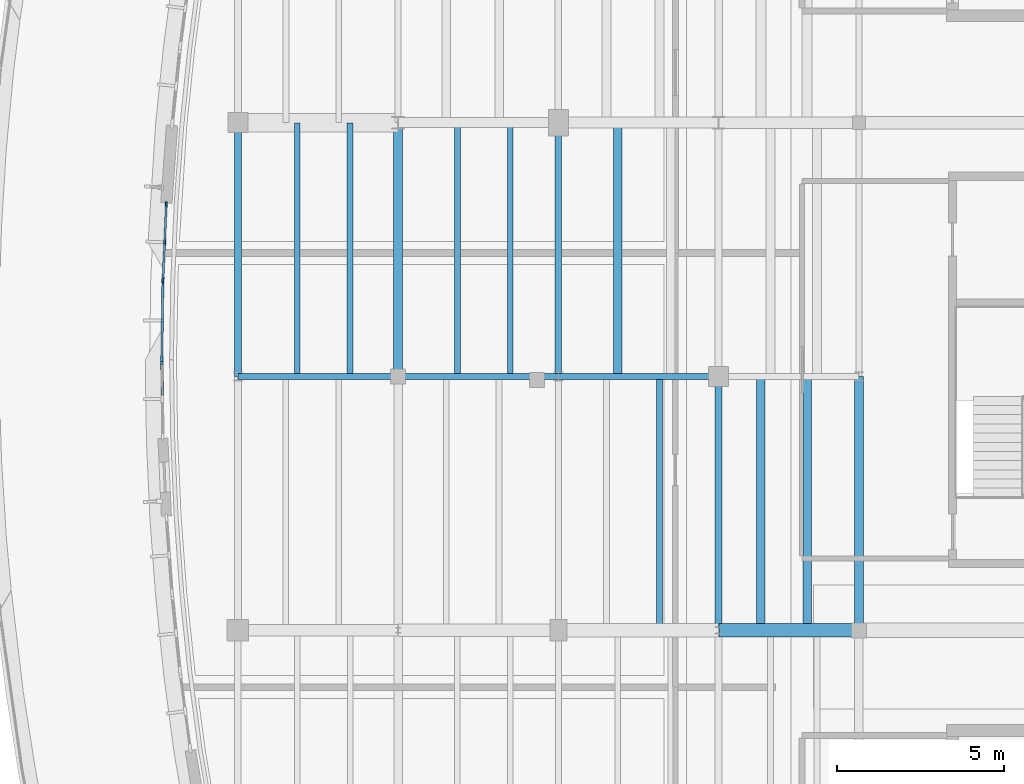
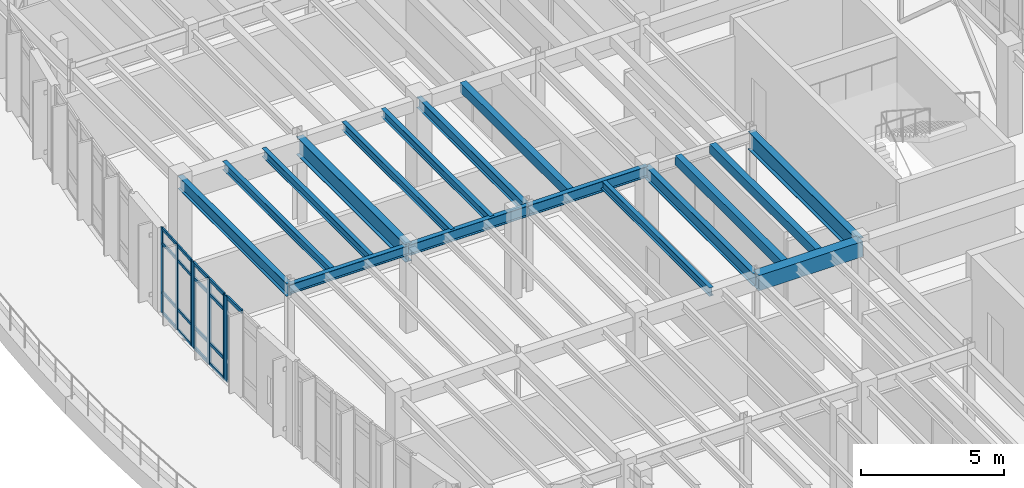
# One storey, part 44 of 105: 24 members, 17 beams, 3 elements without a shape of their own.
"""IFC4 building model written with IfcOpenShell, lengths in metres."""

import ifcopenshell
import ifcopenshell.guid

model = None  # the IFC model being written
_history = None  # IfcOwnerHistory: only IFC2X3 demands one
_inside = {}  # id of a spatial element -> (the spatial element, [elements in it])
_under = {}  # id of a project, library or spatial element -> (it, [spatial elements below it])
_declared = {}  # id of a project -> (the project, [libraries it declares])
_typed = {}  # id of a type object -> (the type object, [elements of that type])
_made_of = {}  # id of a material, layer set ... -> (it, [elements and type objects made of it])


def new_model(schema):
    """Start an empty IFC model of exactly this schema.

    Asked for "IFC4X3", IfcOpenShell would pick the latest addendum, in which some entities
    have other attributes; the version numbers below select the first issue.
    IFC2X3 requires an IfcOwnerHistory on every rooted entity: one is made here for all.
    """
    global model, _history
    if schema == "IFC4X3":
        model = ifcopenshell.file(schema_version=(4, 3, 0, 0))
    else:
        model = ifcopenshell.file(schema=schema)
    _inside.clear()
    _under.clear()
    _declared.clear()
    _typed.clear()
    _made_of.clear()
    _history = None
    if model.schema == "IFC2X3":
        org = make("IfcOrganization", Name="unknown")
        user = make(
            "IfcPersonAndOrganization",
            ThePerson=make("IfcPerson", FamilyName="unknown"),
            TheOrganization=org,
        )
        app = make(
            "IfcApplication",
            ApplicationDeveloper=org,
            Version="unknown",
            ApplicationFullName="unknown",
            ApplicationIdentifier="unknown",
        )
        _history = make(
            "IfcOwnerHistory",
            OwningUser=user,
            OwningApplication=app,
            ChangeAction="ADDED",
            CreationDate=0,
        )
    return model


def make(cls, **values):
    """One entity of the class cls with the attributes given. An attribute that is None is left unset."""
    return model.create_entity(
        cls, **{name: value for name, value in values.items() if value is not None}
    )


def rooted(cls, **values):
    """An entity with a GlobalId (a new one), such as an element, a storey or a relation."""
    return make(cls, GlobalId=ifcopenshell.guid.new(), OwnerHistory=_history, **values)


def si_unit(unit_type, name, prefix=None):
    """IfcSIUnit, for example si_unit("LENGTHUNIT", "METRE", prefix="MILLI")."""
    return make("IfcSIUnit", UnitType=unit_type, Prefix=prefix, Name=name)


def assignment(units):
    """IfcUnitAssignment: the units of a project."""
    return None if units is None else make("IfcUnitAssignment", Units=units)


def point(xyz):
    """IfcCartesianPoint."""
    return None if xyz is None else make("IfcCartesianPoint", Coordinates=xyz)


def direction(xyz):
    """IfcDirection."""
    return None if xyz is None else make("IfcDirection", DirectionRatios=xyz)


def frame(location, z_axis=None, x_axis=None):
    """IfcAxis2Placement3D, a coordinate frame: its origin and axes. An axis left out is left unset."""
    return make(
        "IfcAxis2Placement3D",
        Location=point(location),
        Axis=direction(z_axis),
        RefDirection=direction(x_axis),
    )


def frame_2d(location, x_axis=None):
    """IfcAxis2Placement2D, a coordinate frame in the plane: its origin and x axis."""
    return make(
        "IfcAxis2Placement2D", Location=point(location), RefDirection=direction(x_axis)
    )


def origin():
    """The frame at (0, 0, 0) with its axes left unset."""
    return frame((0.0, 0.0, 0.0))


def origin_2d():
    """The frame at (0, 0) in the plane with its x axis left unset."""
    return frame_2d((0.0, 0.0))


def place(relative_to, where):
    """IfcLocalPlacement: puts the frame where relative to a parent placement (None: the world)."""
    return make(
        "IfcLocalPlacement", PlacementRelTo=relative_to, RelativePlacement=where
    )


def context(
    kind, dimensions, precision=None, world=None, true_north=None, identifier=None
):
    """IfcGeometricRepresentationContext, for example the 3D "Model" context."""
    return make(
        "IfcGeometricRepresentationContext",
        ContextIdentifier=identifier,
        ContextType=kind,
        CoordinateSpaceDimension=dimensions,
        Precision=precision,
        WorldCoordinateSystem=world,
        TrueNorth=true_north,
    )


def subcontext(parent, identifier, kind, view, scale=None):
    """IfcGeometricRepresentationSubContext, for example "Body" below "Model"."""
    return make(
        "IfcGeometricRepresentationSubContext",
        ContextIdentifier=identifier,
        ContextType=kind,
        ParentContext=parent,
        TargetScale=scale,
        TargetView=view,
    )


def project(units=None, contexts=None):
    """IfcProject with its units and contexts."""
    return rooted(
        "IfcProject",
        Name="project",
        RepresentationContexts=contexts,
        UnitsInContext=assignment(units),
    )


def spatial(cls, under=None, at=None, **own):
    """A site, building, storey or space (cls), placed at a placement, below another one or the project."""
    s = rooted(cls, ObjectPlacement=at, **own)
    if under is not None:
        _under.setdefault(under.id(), (under, []))[1].append(s)
    return s


def profile(cls, at=None, kind="AREA", **sizes):
    """A parametric profile (cls). Its sizes go by their IFC names, for example OverallWidth=200.0."""
    return make(cls, ProfileType=kind, Position=at, **sizes)


def rectangle(**sizes):
    """IfcRectangleProfileDef."""
    return profile("IfcRectangleProfileDef", **sizes)


def i_section(**sizes):
    """IfcIShapeProfileDef."""
    return profile("IfcIShapeProfileDef", **sizes)


def extrude(swept, where, along, depth):
    """IfcExtrudedAreaSolid: the profile swept, set in the frame where, extruded along a direction by depth."""
    return make(
        "IfcExtrudedAreaSolid",
        SweptArea=swept,
        Position=where,
        ExtrudedDirection=direction(along),
        Depth=depth,
    )


def shape(context_of_items, identifier, shape_type, items):
    """IfcShapeRepresentation: the items that make up one representation, for example the "Body"."""
    return make(
        "IfcShapeRepresentation",
        ContextOfItems=context_of_items,
        RepresentationIdentifier=identifier,
        RepresentationType=shape_type,
        Items=items,
    )


def material(Name=None, Category=None):
    """IfcMaterial."""
    return make("IfcMaterial", Name=Name, Category=Category)


def material_profile(
    of_material, cross_section, Name=None, Category=None, Priority=None
):
    """IfcMaterialProfile: a cross section and its material."""
    return make(
        "IfcMaterialProfile",
        Name=Name,
        Material=of_material,
        Profile=cross_section,
        Priority=Priority,
        Category=Category,
    )


def profile_set(profiles, Name=None, composite=None):
    """IfcMaterialProfileSet."""
    return make(
        "IfcMaterialProfileSet",
        Name=Name,
        MaterialProfiles=profiles,
        CompositeProfile=composite,
    )


def made_of(thing, what):
    """Note that an element or type object is made of a material, layer set ...; save() writes the relation."""
    if what is not None:
        _made_of.setdefault(what.id(), (what, []))[1].append(thing)
    return thing


def type_object(cls, material=None, **own):
    """A type object (cls), such as IfcWallType, which elements share."""
    return made_of(rooted(cls, **own), material)


def element(
    cls,
    number,
    at=None,
    inside=None,
    cuts=None,
    type_object=None,
    material=None,
    context=None,
    identifier="Body",
    shape_type=None,
    held_by="IfcProductDefinitionShape",
    body=None,
    shapes=None,
    **own,
):
    """One element of the class cls, such as IfcWall. Its Tag is "e" and its number.

    at: its placement. inside: the storey or other place that contains it. cuts: it is an
    opening in that element (IfcRelVoidsElement). A single representation is given by context,
    identifier, shape_type and body (its items); several are given by shapes. held_by: the class
    of the entity that holds the representations. save() writes the other relations.
    """
    e = rooted(cls, Tag="e%d" % number, ObjectPlacement=at, **own)
    if body is not None:
        shapes = [shape(context, identifier, shape_type, body)]
    if shapes is not None:
        e.Representation = make(held_by, Representations=shapes)
    if inside is not None:
        _inside.setdefault(inside.id(), (inside, []))[1].append(e)
    if cuts is not None:
        rooted(
            "IfcRelVoidsElement", RelatingBuildingElement=cuts, RelatedOpeningElement=e
        )
    if type_object is not None:
        _typed.setdefault(type_object.id(), (type_object, []))[1].append(e)
    return made_of(e, material)


def aggregate(whole, parts):
    """IfcRelAggregates: a whole, such as a stair, and the parts it consists of."""
    return rooted("IfcRelAggregates", RelatingObject=whole, RelatedObjects=parts)


def save(model, path):
    """Write the relations noted so far, then the file.

    IfcRelAggregates (storeys below a building ...), IfcRelContainedInSpatialStructure (elements
    in a storey), IfcRelDefinesByType, IfcRelAssociatesMaterial and IfcRelDeclares: one each for
    every whole, place, type object, material and project.
    """
    for whole, parts in _under.values():
        aggregate(whole, parts)
    for where, things in _inside.values():
        rooted(
            "IfcRelContainedInSpatialStructure",
            RelatedElements=things,
            RelatingStructure=where,
        )
    for kind, things in _typed.values():
        rooted("IfcRelDefinesByType", RelatedObjects=things, RelatingType=kind)
    for what, things in _made_of.values():
        rooted("IfcRelAssociatesMaterial", RelatedObjects=things, RelatingMaterial=what)
    for by, libraries in _declared.values():
        rooted("IfcRelDeclares", RelatingContext=by, RelatedDefinitions=libraries)
    model.write(path)


model = new_model("IFC4")

# Units and contexts
model_context = context("Model", 3, precision=1e-05, world=origin(), true_north=direction((0.0, 1.0)))
body_context = subcontext(model_context, "Body", "Model", "MODEL_VIEW")
ifc_project = project(units=[si_unit("LENGTHUNIT", "METRE"), si_unit("AREAUNIT", "SQUARE_METRE"), si_unit("VOLUMEUNIT", "CUBIC_METRE"), si_unit("PLANEANGLEUNIT", "RADIAN"), si_unit("MASSUNIT", "GRAM", prefix="KILO")], contexts=[model_context])

# Site, building, storey
site_placement = place(None, origin())
site = spatial("IfcSite", under=ifc_project, at=site_placement, CompositionType="ELEMENT")
building_placement = place(site_placement, origin())
building = spatial("IfcBuilding", under=site, at=building_placement, Name="Corveleigh Park Community Centre", CompositionType="ELEMENT")
storey_placement = place(building_placement, frame((0.0, 0.0, 8.699951171875)))
storey = spatial("IfcBuildingStorey", under=building, at=storey_placement, Name="L02", CompositionType="ELEMENT", Elevation=8.699951171875)

# Beams
ifc_material_1 = material(Name="Concrete C40/50", Category="concrete")
ifc_material_profile_1 = material_profile(ifc_material_1, rectangle(XDim=0.25, YDim=0.39990234375, at=origin_2d()), Name="RC-250x400", Category="concrete")
ifc_profile_set_1 = profile_set([ifc_material_profile_1], Name="Concrete C40/50")
beam_type_1 = type_object("IfcBeamType", Name="BM-RC-250x400", PredefinedType="JOIST", material=ifc_profile_set_1)
for number, where, z_axis, x_axis, name in (
    (1, (150.77587890625, 81.405029296875, 3.442138671875), (0.0, 1.0, 0.0), (-1.0, 0.0, 0.0), "Secondary floor joist"),
    (2, (155.06005859375, 73.804931640625, 3.442138671875), (0.0, 1.0, 0.0), (-1.0, 0.0, 0.0), "Secondary floor joist"),
    (3, (156.446044921875, 73.804931640625, 3.442138671875), (0.0, 1.0, 0.0), (-1.0, 0.0, 0.0), "Secondary floor joist"),
):
    element("IfcBeam", number, at=place(storey_placement, frame(where, z_axis=z_axis, x_axis=x_axis)), inside=storey, type_object=beam_type_1, Name=name, PredefinedType="JOIST", context=body_context, shape_type="SweptSolid", body=[
        extrude(rectangle(XDim=0.25, YDim=0.39990234375, at=origin_2d()), origin(), (0.0, 0.0, 1.0), 7.590087890625),
    ])
ifc_material_profile_2 = material_profile(ifc_material_1, rectangle(XDim=0.39990234375, YDim=0.64990234375, at=origin_2d()), Name="RC-400x650", Category="concrete")
ifc_profile_set_2 = profile_set([ifc_material_profile_2], Name="Concrete C40/50")
beam_type_2 = type_object("IfcBeamType", Name="BM-RC-400x650", PredefinedType="BEAM", material=ifc_profile_set_2)
beam_1_placement = place(storey_placement, frame((153.804931640625, 73.800048828125, 3.317138671875), z_axis=(1.0, 0.0, 0.0), x_axis=(0.0, 1.0, 0.0)))
element("IfcBeam", 4, at=beam_1_placement, inside=storey, type_object=beam_type_2, Name="V4 Girder X", PredefinedType="BEAM", context=body_context, shape_type="SweptSolid", body=[
    extrude(rectangle(XDim=0.39990234375, YDim=0.64990234375, at=origin_2d()), origin(), (0.0, 0.0, 1.0), 4.190185546875),
])
ifc_material_2 = material(Name="Steel S355", Category="steel")
ifc_material_profile_3 = material_profile(ifc_material_2, i_section(OverallWidth=0.171142578125, OverallDepth=0.351318359375, WebThickness=0.007080078125, FlangeThickness=0.009765625, at=origin_2d()), Name="UKB 356x171x45", Category="steel")
ifc_profile_set_3 = profile_set([ifc_material_profile_3], Name="Steel S355")
beam_type_3 = type_object("IfcBeamType", Name="BM-STL-UKB356x45", PredefinedType="JOIST", material=ifc_profile_set_3)
for number, where, z_axis, x_axis, name in (
    (5, (141.176025390625, 81.405029296875, 3.46142578125), (0.0, 1.0, 0.0), (-1.0, 0.0, 0.0), "Secondary floor joist"),
    (6, (142.760009765625, 81.405029296875, 3.46142578125), (0.0, 1.0, 0.0), (-1.0, 0.0, 0.0), "Secondary floor joist"),
):
    element("IfcBeam", number, at=place(storey_placement, frame(where, z_axis=z_axis, x_axis=x_axis)), inside=storey, type_object=beam_type_3, Name=name, PredefinedType="JOIST", context=body_context, shape_type="SweptSolid", body=[
        extrude(i_section(OverallWidth=0.171142578125, OverallDepth=0.351318359375, WebThickness=0.007080078125, FlangeThickness=0.009765625, at=origin_2d()), origin(), (0.0, 0.0, 1.0), 7.590087890625),
    ])
ifc_material_profile_4 = material_profile(ifc_material_2, i_section(OverallWidth=0.17138671875, OverallDepth=0.35498046875, WebThickness=0.00732421875, FlangeThickness=0.011474609375, at=origin_2d()), Name="UKB 356x171x51", Category="steel")
ifc_profile_set_4 = profile_set([ifc_material_profile_4], Name="Steel S355")
beam_type_4 = type_object("IfcBeamType", Name="BM-STL-UKB356x51", PredefinedType="JOIST", material=ifc_profile_set_4)
for number, where, z_axis, x_axis, name in (
    (7, (145.97607421875, 81.405029296875, 3.464599609375), (0.0, 1.0, 0.0), (-1.0, 0.0, 0.0), "Secondary floor joist"),
    (8, (147.56005859375, 81.405029296875, 3.464599609375), (0.0, 1.0, 0.0), (-1.0, 0.0, 0.0), "Secondary floor joist"),
    (9, (152.02392578125, 73.804931640625, 3.464599609375), (0.0, 1.0, 0.0), (-1.0, 0.0, 0.0), "Secondary floor joist"),
):
    element("IfcBeam", number, at=place(storey_placement, frame(where, z_axis=z_axis, x_axis=x_axis)), inside=storey, type_object=beam_type_4, Name=name, PredefinedType="JOIST", context=body_context, shape_type="SweptSolid", body=[
        extrude(i_section(OverallWidth=0.17138671875, OverallDepth=0.35498046875, WebThickness=0.00732421875, FlangeThickness=0.011474609375, at=origin_2d()), origin(), (0.0, 0.0, 1.0), 7.590087890625),
    ])
ifc_material_profile_5 = material_profile(ifc_material_2, i_section(OverallWidth=0.179443359375, OverallDepth=0.412841796875, WebThickness=0.009521484375, FlangeThickness=0.01611328125, at=origin_2d()), Name="UKB 406x178x74", Category="steel")
ifc_profile_set_5 = profile_set([ifc_material_profile_5], Name="Steel S355")
beam_type_5 = type_object("IfcBeamType", Name="BM-STL-UKB406x74", PredefinedType="BEAM", material=ifc_profile_set_5)
beam_2_placement = place(storey_placement, frame((139.405029296875, 81.39990234375, 3.4306640625), z_axis=(1.0, 0.0, 0.0), x_axis=(0.0, 1.0, 0.0)))
element("IfcBeam", 10, at=beam_2_placement, inside=storey, type_object=beam_type_5, Name="V4 Girder X", PredefinedType="BEAM", context=body_context, shape_type="SweptSolid", body=[
    extrude(i_section(OverallWidth=0.179443359375, OverallDepth=0.412841796875, WebThickness=0.009521484375, FlangeThickness=0.01611328125, at=origin_2d()), origin(), (0.0, 0.0, 1.0), 4.7900390625),
])
ifc_material_profile_6 = material_profile(ifc_material_2, i_section(OverallWidth=0.18994140625, OverallDepth=0.453369140625, WebThickness=0.008544921875, FlangeThickness=0.0126953125, at=origin_2d()), Name="UKB 457x191x67", Category="steel")
ifc_profile_set_6 = profile_set([ifc_material_profile_6], Name="Steel S355")
beam_type_6 = type_object("IfcBeamType", Name="BM-STL-UKB457x67", PredefinedType="BEAM", material=ifc_profile_set_6)
beam_3_placement = place(storey_placement, frame((144.205078125, 81.39990234375, 3.415283203125), z_axis=(1.0, 0.0, 0.0), x_axis=(0.0, 1.0, 0.0)))
element("IfcBeam", 11, at=beam_3_placement, inside=storey, type_object=beam_type_6, Name="V4 Girder X", PredefinedType="BEAM", context=body_context, shape_type="SweptSolid", body=[
    extrude(i_section(OverallWidth=0.18994140625, OverallDepth=0.453369140625, WebThickness=0.008544921875, FlangeThickness=0.0126953125, at=origin_2d()), origin(), (0.0, 0.0, 1.0), 4.7900390625),
])
beam_4_placement = place(storey_placement, frame((149.0, 81.405029296875, 3.415283203125), z_axis=(0.0, 1.0, 0.0), x_axis=(-1.0, 0.0, 0.0)))
element("IfcBeam", 12, at=beam_4_placement, inside=storey, type_object=beam_type_6, Name="V4 Girder Y", PredefinedType="BEAM", context=body_context, shape_type="SweptSolid", body=[
    extrude(i_section(OverallWidth=0.18994140625, OverallDepth=0.453369140625, WebThickness=0.008544921875, FlangeThickness=0.0126953125, at=origin_2d()), origin(), (0.0, 0.0, 1.0), 7.590087890625),
])
ifc_material_profile_7 = material_profile(ifc_material_2, i_section(OverallWidth=0.1904296875, OverallDepth=0.45703125, WebThickness=0.009033203125, FlangeThickness=0.014404296875, at=origin_2d()), Name="UKB 457x191x74", Category="steel")
ifc_profile_set_7 = profile_set([ifc_material_profile_7], Name="Steel S355")
beam_type_7 = type_object("IfcBeamType", Name="BM-STL-UKB457x74", PredefinedType="BEAM", material=ifc_profile_set_7)
beam_5_placement = place(storey_placement, frame((149.0048828125, 81.39990234375, 3.41357421875), z_axis=(1.0, 0.0, 0.0), x_axis=(0.0, 1.0, 0.0)))
element("IfcBeam", 13, at=beam_5_placement, inside=storey, type_object=beam_type_7, Name="V4 Girder X", PredefinedType="BEAM", context=body_context, shape_type="SweptSolid", body=[
    extrude(i_section(OverallWidth=0.1904296875, OverallDepth=0.45703125, WebThickness=0.009033203125, FlangeThickness=0.014404296875, at=origin_2d()), origin(), (0.0, 0.0, 1.0), 4.7900390625),
])
ifc_material_profile_8 = material_profile(ifc_material_2, i_section(OverallWidth=0.2099609375, OverallDepth=0.53662109375, WebThickness=0.0107421875, FlangeThickness=0.017333984375, at=origin_2d()), Name="UKB 533x210x101", Category="steel")
ifc_profile_set_8 = profile_set([ifc_material_profile_8], Name="Steel S355")
beam_type_8 = type_object("IfcBeamType", Name="BM-STL-UKB533x101", PredefinedType="BEAM", material=ifc_profile_set_8)
for number, where, z_axis, x_axis, name in (
    (14, (139.39990234375, 81.405029296875, 3.36865234375), (0.0, 1.0, 0.0), (-1.0, 0.0, 0.0), "V4 Girder Y"),
    (15, (153.800048828125, 73.804931640625, 3.373779296875), (0.0, 1.0, 0.0), (-1.0, 0.0, 0.0), "V4 Girder Y"),
):
    element("IfcBeam", number, at=place(storey_placement, frame(where, z_axis=z_axis, x_axis=x_axis)), inside=storey, type_object=beam_type_8, Name=name, PredefinedType="BEAM", context=body_context, shape_type="SweptSolid", body=[
        extrude(i_section(OverallWidth=0.2099609375, OverallDepth=0.53662109375, WebThickness=0.0107421875, FlangeThickness=0.017333984375, at=origin_2d()), origin(), (0.0, 0.0, 1.0), 7.590087890625),
    ])
ifc_material_profile_9 = material_profile(ifc_material_2, i_section(OverallWidth=0.2666015625, OverallDepth=0.76220703125, WebThickness=0.014404296875, FlangeThickness=0.021484375, at=origin_2d()), Name="UKB 762x267x173", Category="steel")
ifc_profile_set_9 = profile_set([ifc_material_profile_9], Name="Steel S355")
beam_type_9 = type_object("IfcBeamType", Name="BM-STL-UKB762x173", PredefinedType="BEAM", material=ifc_profile_set_9)
for number, where, z_axis, x_axis, name in (
    (16, (144.199951171875, 81.405029296875, 3.260986328125), (0.0, 1.0, 0.0), (-1.0, 0.0, 0.0), "V4 Girder Y"),
    (17, (158.0, 73.804931640625, 3.260986328125), (0.0, 1.0, 0.0), (-1.0, 0.0, 0.0), "V4 Girder Y"),
):
    element("IfcBeam", number, at=place(storey_placement, frame(where, z_axis=z_axis, x_axis=x_axis)), inside=storey, type_object=beam_type_9, Name=name, PredefinedType="BEAM", context=body_context, shape_type="SweptSolid", body=[
        extrude(i_section(OverallWidth=0.2666015625, OverallDepth=0.76220703125, WebThickness=0.014404296875, FlangeThickness=0.021484375, at=origin_2d()), origin(), (0.0, 0.0, 1.0), 7.590087890625),
    ])

# Curtain wall, members
ifc_material_3 = material(Name="Anodised aluminium 6063-T6", Category="aluminium")
curtain_wall_type = type_object("IfcCurtainWallType", Name="CW-SYS-V4-L01", PredefinedType="NOTDEFINED", material=ifc_material_3)
curtain_wall_1_placement = place(storey_placement, origin())
curtain_wall_1 = element("IfcCurtainWall", 18, at=curtain_wall_1_placement, inside=storey, type_object=curtain_wall_type, Name="V4 L02 Curtain Wall 391", PredefinedType="NOTDEFINED")
ifc_material_profile_10 = material_profile(ifc_material_3, rectangle(XDim=0.06005859375, YDim=0.159912109375, at=origin_2d()), Name="ALU-M60x160", Category="aluminium")
ifc_profile_set_10 = profile_set([ifc_material_profile_10], Name="Anodised aluminium 6063-T6")
member_type_1 = type_object("IfcMemberType", Name="CWM-60x160", PredefinedType="MULLION", material=ifc_profile_set_10)
member_1_placement = place(storey_placement, frame((137.158447265625, 84.283935546875, 0.0), z_axis=(0.0, 0.0, 1.0), x_axis=(-0.999019307224, 0.044276673248, 0.0)))
member_1 = element("IfcMember", 19, at=member_1_placement, type_object=member_type_1, Name="CW08 mullion 1", PredefinedType="MULLION", context=body_context, shape_type="SweptSolid", body=[
    extrude(rectangle(XDim=0.06005859375, YDim=0.159912109375, at=origin_2d()), origin(), (0.0, 0.0, 1.0), 3.636962890625),
])
member_2_placement = place(storey_placement, frame((137.20849609375, 85.416015625, 0.0), z_axis=(0.0, 0.0, 1.0), x_axis=(-0.999019307224, 0.044276673248, 0.0)))
member_2 = element("IfcMember", 20, at=member_2_placement, type_object=member_type_1, Name="CW08 mullion 2", PredefinedType="MULLION", context=body_context, shape_type="SweptSolid", body=[
    extrude(rectangle(XDim=0.06005859375, YDim=0.159912109375, at=origin_2d()), origin(), (0.0, 0.0, 1.0), 3.636962890625),
])
member_3_placement = place(storey_placement, frame((137.2587890625, 86.548095703125, 0.0), z_axis=(0.0, 0.0, 1.0), x_axis=(-0.999019307224, 0.044276673248, 0.0)))
member_3 = element("IfcMember", 21, at=member_3_placement, type_object=member_type_1, Name="CW08 mullion 3", PredefinedType="MULLION", context=body_context, shape_type="SweptSolid", body=[
    extrude(rectangle(XDim=0.06005859375, YDim=0.159912109375, at=origin_2d()), origin(), (0.0, 0.0, 1.0), 3.636962890625),
])

curtain_wall_2_placement = place(storey_placement, origin())
curtain_wall_2 = element("IfcCurtainWall", 22, at=curtain_wall_2_placement, inside=storey, type_object=curtain_wall_type, Name="V4 L02 Curtain Wall 392", PredefinedType="NOTDEFINED")
ifc_material_profile_11 = material_profile(ifc_material_3, rectangle(XDim=0.06494140625, YDim=0.179931640625, at=origin_2d()), Name="ALU-M65x180", Category="aluminium")
ifc_profile_set_11 = profile_set([ifc_material_profile_11], Name="Anodised aluminium 6063-T6")
member_type_2 = type_object("IfcMemberType", Name="CWM-65x180", PredefinedType="MULLION", material=ifc_profile_set_11)
member_4_placement = place(storey_placement, frame((137.12353515625, 81.94140625, 0.0), z_axis=(0.0, 0.0, 1.0), x_axis=(-0.999893275153, 0.014609527863, 0.0)))
member_4 = element("IfcMember", 23, at=member_4_placement, type_object=member_type_2, Name="CW08 mullion 1", PredefinedType="MULLION", context=body_context, shape_type="SweptSolid", body=[
    extrude(rectangle(XDim=0.06494140625, YDim=0.179931640625, at=origin_2d()), origin(), (0.0, 0.0, 1.0), 3.636962890625),
])
member_5_placement = place(storey_placement, frame((137.139892578125, 83.072509765625, 0.0), z_axis=(0.0, 0.0, 1.0), x_axis=(-0.999893275153, 0.014609527863, 0.0)))
member_5 = element("IfcMember", 24, at=member_5_placement, type_object=member_type_2, Name="CW08 mullion 2", PredefinedType="MULLION", context=body_context, shape_type="SweptSolid", body=[
    extrude(rectangle(XDim=0.06494140625, YDim=0.179931640625, at=origin_2d()), origin(), (0.0, 0.0, 1.0), 3.636962890625),
])
member_6_placement = place(storey_placement, frame((137.156494140625, 84.20361328125, 0.0), z_axis=(0.0, 0.0, 1.0), x_axis=(-0.999893275153, 0.014609527863, 0.0)))
member_6 = element("IfcMember", 25, at=member_6_placement, type_object=member_type_2, Name="CW08 mullion 3", PredefinedType="MULLION", context=body_context, shape_type="SweptSolid", body=[
    extrude(rectangle(XDim=0.06494140625, YDim=0.179931640625, at=origin_2d()), origin(), (0.0, 0.0, 1.0), 3.636962890625),
])

# Curtain wall, member
curtain_wall_3_placement = place(storey_placement, origin())
curtain_wall_3 = element("IfcCurtainWall", 26, at=curtain_wall_3_placement, inside=storey, type_object=curtain_wall_type, Name="V4 L02 Curtain Wall 393", PredefinedType="NOTDEFINED")
ifc_material_profile_12 = material_profile(ifc_material_3, rectangle(XDim=0.070068359375, YDim=0.199951171875, at=origin_2d()), Name="ALU-M70x200", Category="aluminium")
ifc_profile_set_12 = profile_set([ifc_material_profile_12], Name="Anodised aluminium 6063-T6")
member_type_3 = type_object("IfcMemberType", Name="CWM-70x200", PredefinedType="MULLION", material=ifc_profile_set_12)
member_7_placement = place(storey_placement, frame((137.12353515625, 81.85595703125, 0.0), z_axis=(0.0, 0.0, 1.0), x_axis=(-0.999893275153, -0.014609527863, 0.0)))
member_7 = element("IfcMember", 27, at=member_7_placement, type_object=member_type_3, Name="CW08 mullion 3", PredefinedType="MULLION", context=body_context, shape_type="SweptSolid", body=[
    extrude(rectangle(XDim=0.070068359375, YDim=0.199951171875, at=origin_2d()), origin(), (0.0, 0.0, 1.0), 3.636962890625),
])

# Member
ifc_material_profile_13 = material_profile(ifc_material_3, rectangle(XDim=0.06005859375, YDim=0.1201171875, at=origin_2d()), Name="ALU-T60x120", Category="aluminium")
ifc_profile_set_13 = profile_set([ifc_material_profile_13], Name="Anodised aluminium 6063-T6")
member_type_4 = type_object("IfcMemberType", Name="CWT-60x120", PredefinedType="USERDEFINED", material=ifc_profile_set_13)
member_8_placement = place(storey_placement, frame((137.15966796875, 84.31396484375, 0.030029296875), z_axis=(0.044365292247, 0.999015375679, 0.0), x_axis=(-0.999015375679, 0.044365292247, 0.0)))
member_8 = element("IfcMember", 28, at=member_8_placement, type_object=member_type_4, Name="CW08 transom 1.1", ObjectType="TRANSOM", PredefinedType="USERDEFINED", context=body_context, shape_type="SweptSolid", body=[
    extrude(rectangle(XDim=0.06005859375, YDim=0.1201171875, at=origin_2d()), origin(), (0.0, 0.0, 1.0), 1.072998046875),
])

member_9_placement = place(storey_placement, frame((137.15966796875, 84.31396484375, 0.900146484375), z_axis=(0.044365292247, 0.999015375679, 0.0), x_axis=(-0.999015375679, 0.044365292247, 0.0)))
member_9 = element("IfcMember", 29, at=member_9_placement, type_object=member_type_4, Name="CW08 transom 1.2", ObjectType="TRANSOM", PredefinedType="USERDEFINED", context=body_context, shape_type="SweptSolid", body=[
    extrude(rectangle(XDim=0.06005859375, YDim=0.1201171875, at=origin_2d()), origin(), (0.0, 0.0, 1.0), 1.072998046875),
])

member_10_placement = place(storey_placement, frame((137.15966796875, 84.31396484375, 2.987060546875), z_axis=(0.044365292247, 0.999015375679, 0.0), x_axis=(-0.999015375679, 0.044365292247, 0.0)))
member_10 = element("IfcMember", 30, at=member_10_placement, type_object=member_type_4, Name="CW08 transom 1.3", ObjectType="TRANSOM", PredefinedType="USERDEFINED", context=body_context, shape_type="SweptSolid", body=[
    extrude(rectangle(XDim=0.06005859375, YDim=0.1201171875, at=origin_2d()), origin(), (0.0, 0.0, 1.0), 1.072998046875),
])

member_11_placement = place(storey_placement, frame((137.15966796875, 84.31396484375, 3.60693359375), z_axis=(0.044365292247, 0.999015375679, 0.0), x_axis=(-0.999015375679, 0.044365292247, 0.0)))
member_11 = element("IfcMember", 31, at=member_11_placement, type_object=member_type_4, Name="CW08 transom 1.4", ObjectType="TRANSOM", PredefinedType="USERDEFINED", context=body_context, shape_type="SweptSolid", body=[
    extrude(rectangle(XDim=0.06005859375, YDim=0.1201171875, at=origin_2d()), origin(), (0.0, 0.0, 1.0), 1.072998046875),
])

member_12_placement = place(storey_placement, frame((137.209716796875, 85.446044921875, 0.030029296875), z_axis=(0.044365292247, 0.999015375679, 0.0), x_axis=(-0.999015375679, 0.044365292247, 0.0)))
member_12 = element("IfcMember", 32, at=member_12_placement, type_object=member_type_4, Name="CW08 transom 2.1", ObjectType="TRANSOM", PredefinedType="USERDEFINED", context=body_context, shape_type="SweptSolid", body=[
    extrude(rectangle(XDim=0.06005859375, YDim=0.1201171875, at=origin_2d()), origin(), (0.0, 0.0, 1.0), 1.072998046875),
])

member_13_placement = place(storey_placement, frame((137.209716796875, 85.446044921875, 0.900146484375), z_axis=(0.044365292247, 0.999015375679, 0.0), x_axis=(-0.999015375679, 0.044365292247, 0.0)))
member_13 = element("IfcMember", 33, at=member_13_placement, type_object=member_type_4, Name="CW08 transom 2.2", ObjectType="TRANSOM", PredefinedType="USERDEFINED", context=body_context, shape_type="SweptSolid", body=[
    extrude(rectangle(XDim=0.06005859375, YDim=0.1201171875, at=origin_2d()), origin(), (0.0, 0.0, 1.0), 1.072998046875),
])

member_14_placement = place(storey_placement, frame((137.209716796875, 85.446044921875, 2.987060546875), z_axis=(0.044365292247, 0.999015375679, 0.0), x_axis=(-0.999015375679, 0.044365292247, 0.0)))
member_14 = element("IfcMember", 34, at=member_14_placement, type_object=member_type_4, Name="CW08 transom 2.3", ObjectType="TRANSOM", PredefinedType="USERDEFINED", context=body_context, shape_type="SweptSolid", body=[
    extrude(rectangle(XDim=0.06005859375, YDim=0.1201171875, at=origin_2d()), origin(), (0.0, 0.0, 1.0), 1.072998046875),
])

member_15_placement = place(storey_placement, frame((137.209716796875, 85.446044921875, 3.60693359375), z_axis=(0.044365292247, 0.999015375679, 0.0), x_axis=(-0.999015375679, 0.044365292247, 0.0)))
member_15 = element("IfcMember", 35, at=member_15_placement, type_object=member_type_4, Name="CW08 transom 2.4", ObjectType="TRANSOM", PredefinedType="USERDEFINED", context=body_context, shape_type="SweptSolid", body=[
    extrude(rectangle(XDim=0.06005859375, YDim=0.1201171875, at=origin_2d()), origin(), (0.0, 0.0, 1.0), 1.072998046875),
])

aggregate(curtain_wall_1, [member_1, member_2, member_3, member_8, member_9, member_10, member_11, member_12, member_13, member_14, member_15])

ifc_material_profile_14 = material_profile(ifc_material_3, rectangle(XDim=0.06494140625, YDim=0.139892578125, at=origin_2d()), Name="ALU-T65x140", Category="aluminium")
ifc_profile_set_14 = profile_set([ifc_material_profile_14], Name="Anodised aluminium 6063-T6")
member_type_5 = type_object("IfcMemberType", Name="CWT-65x140", PredefinedType="USERDEFINED", material=ifc_profile_set_14)
member_16_placement = place(storey_placement, frame((137.1240234375, 81.973876953125, 0.032470703125), z_axis=(0.014424878688, 0.999895956025, 0.0), x_axis=(-0.999895956025, 0.014424878688, 0.0)))
member_16 = element("IfcMember", 36, at=member_16_placement, type_object=member_type_5, Name="CW08 transom 1.1", ObjectType="TRANSOM", PredefinedType="USERDEFINED", context=body_context, shape_type="SweptSolid", body=[
    extrude(rectangle(XDim=0.06494140625, YDim=0.139892578125, at=origin_2d()), origin(), (0.0, 0.0, 1.0), 1.066162109375),
])

member_17_placement = place(storey_placement, frame((137.1240234375, 81.973876953125, 0.900146484375), z_axis=(0.014424878688, 0.999895956025, 0.0), x_axis=(-0.999895956025, 0.014424878688, 0.0)))
member_17 = element("IfcMember", 37, at=member_17_placement, type_object=member_type_5, Name="CW08 transom 1.2", ObjectType="TRANSOM", PredefinedType="USERDEFINED", context=body_context, shape_type="SweptSolid", body=[
    extrude(rectangle(XDim=0.06494140625, YDim=0.139892578125, at=origin_2d()), origin(), (0.0, 0.0, 1.0), 1.066162109375),
])

member_18_placement = place(storey_placement, frame((137.1240234375, 81.973876953125, 2.987060546875), z_axis=(0.014424878688, 0.999895956025, 0.0), x_axis=(-0.999895956025, 0.014424878688, 0.0)))
member_18 = element("IfcMember", 38, at=member_18_placement, type_object=member_type_5, Name="CW08 transom 1.3", ObjectType="TRANSOM", PredefinedType="USERDEFINED", context=body_context, shape_type="SweptSolid", body=[
    extrude(rectangle(XDim=0.06494140625, YDim=0.139892578125, at=origin_2d()), origin(), (0.0, 0.0, 1.0), 1.066162109375),
])

member_19_placement = place(storey_placement, frame((137.1240234375, 81.973876953125, 3.6044921875), z_axis=(0.014424878688, 0.999895956025, 0.0), x_axis=(-0.999895956025, 0.014424878688, 0.0)))
member_19 = element("IfcMember", 39, at=member_19_placement, type_object=member_type_5, Name="CW08 transom 1.4", ObjectType="TRANSOM", PredefinedType="USERDEFINED", context=body_context, shape_type="SweptSolid", body=[
    extrude(rectangle(XDim=0.06494140625, YDim=0.139892578125, at=origin_2d()), origin(), (0.0, 0.0, 1.0), 1.066162109375),
])

member_20_placement = place(storey_placement, frame((137.140380859375, 83.10498046875, 0.032470703125), z_axis=(0.014657151856, 0.99989257818, 0.0), x_axis=(-0.99989257818, 0.014657151856, 0.0)))
member_20 = element("IfcMember", 40, at=member_20_placement, type_object=member_type_5, Name="CW08 transom 2.1", ObjectType="TRANSOM", PredefinedType="USERDEFINED", context=body_context, shape_type="SweptSolid", body=[
    extrude(rectangle(XDim=0.06494140625, YDim=0.139892578125, at=origin_2d()), origin(), (0.0, 0.0, 1.0), 1.06591796875),
])

member_21_placement = place(storey_placement, frame((137.140380859375, 83.10498046875, 0.900146484375), z_axis=(0.014657151856, 0.99989257818, 0.0), x_axis=(-0.99989257818, 0.014657151856, 0.0)))
member_21 = element("IfcMember", 41, at=member_21_placement, type_object=member_type_5, Name="CW08 transom 2.2", ObjectType="TRANSOM", PredefinedType="USERDEFINED", context=body_context, shape_type="SweptSolid", body=[
    extrude(rectangle(XDim=0.06494140625, YDim=0.139892578125, at=origin_2d()), origin(), (0.0, 0.0, 1.0), 1.06591796875),
])

member_22_placement = place(storey_placement, frame((137.140380859375, 83.10498046875, 2.987060546875), z_axis=(0.014657151856, 0.99989257818, 0.0), x_axis=(-0.99989257818, 0.014657151856, 0.0)))
member_22 = element("IfcMember", 42, at=member_22_placement, type_object=member_type_5, Name="CW08 transom 2.3", ObjectType="TRANSOM", PredefinedType="USERDEFINED", context=body_context, shape_type="SweptSolid", body=[
    extrude(rectangle(XDim=0.06494140625, YDim=0.139892578125, at=origin_2d()), origin(), (0.0, 0.0, 1.0), 1.06591796875),
])

member_23_placement = place(storey_placement, frame((137.140380859375, 83.10498046875, 3.6044921875), z_axis=(0.014657151856, 0.99989257818, 0.0), x_axis=(-0.99989257818, 0.014657151856, 0.0)))
member_23 = element("IfcMember", 43, at=member_23_placement, type_object=member_type_5, Name="CW08 transom 2.4", ObjectType="TRANSOM", PredefinedType="USERDEFINED", context=body_context, shape_type="SweptSolid", body=[
    extrude(rectangle(XDim=0.06494140625, YDim=0.139892578125, at=origin_2d()), origin(), (0.0, 0.0, 1.0), 1.06591796875),
])

aggregate(curtain_wall_2, [member_4, member_5, member_6, member_16, member_17, member_18, member_19, member_20, member_21, member_22, member_23])

ifc_material_profile_15 = material_profile(ifc_material_3, rectangle(XDim=0.070068359375, YDim=0.155029296875, at=origin_2d()), Name="ALU-T70x155", Category="aluminium")
ifc_profile_set_15 = profile_set([ifc_material_profile_15], Name="Anodised aluminium 6063-T6")
member_type_6 = type_object("IfcMemberType", Name="CWT-70x155", PredefinedType="USERDEFINED", material=ifc_profile_set_15)
member_24_placement = place(storey_placement, frame((137.139404296875, 80.762451171875, 3.60205078125), z_axis=(-0.014527986897, 0.999894463229, 0.0), x_axis=(-0.999894463229, -0.014527986897, 0.0)))
member_24 = element("IfcMember", 44, at=member_24_placement, type_object=member_type_6, Name="CW08 transom 2.4", ObjectType="TRANSOM", PredefinedType="USERDEFINED", context=body_context, shape_type="SweptSolid", body=[
    extrude(rectangle(XDim=0.070068359375, YDim=0.155029296875, at=origin_2d()), origin(), (0.0, 0.0, 1.0), 1.05859375),
])

aggregate(curtain_wall_3, [member_7, member_24])

save(model, "model.ifc")
